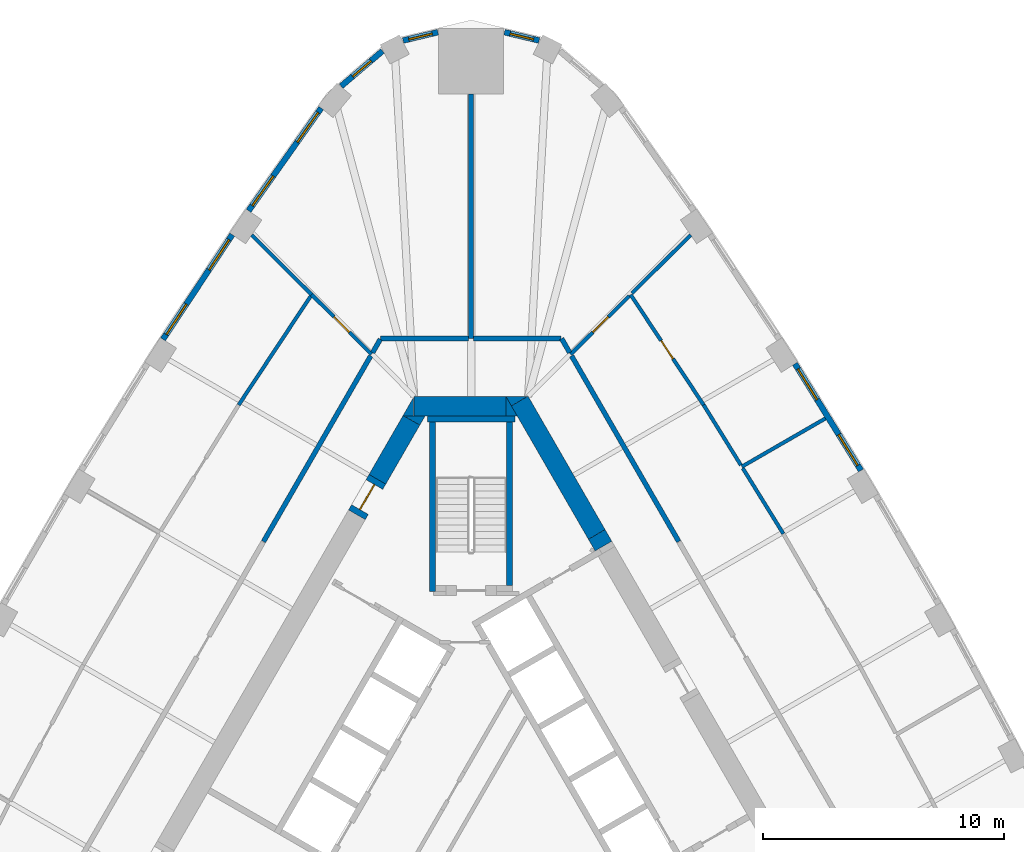
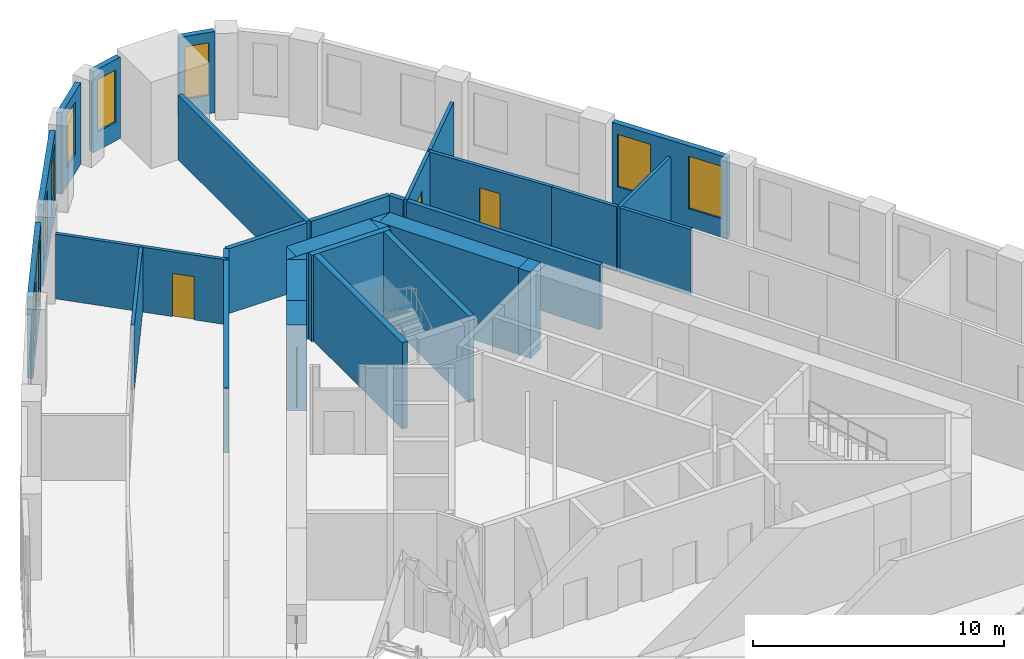
# One storey, part 8 of 10: 34 walls, 9 windows, 4 doors, 13 openings.
"""IFC4 building model written with IfcOpenShell, lengths in metres."""

from ifc_helpers import new_model, si_unit, direction, frame, frame_2d, origin, place, context, subcontext, project, spatial, polyline, rectangle, outline, extrude, material, layer, layer_set, type_object, element, fill, save


model = new_model("IFC4")

# Units and contexts
model_context = context("Model", 3, precision=1e-05, world=origin(), true_north=direction((0.0, 1.0)))
body_context = subcontext(model_context, "Body", "Model", "MODEL_VIEW")
ifc_project = project(units=[si_unit("LENGTHUNIT", "METRE"), si_unit("AREAUNIT", "SQUARE_METRE"), si_unit("VOLUMEUNIT", "CUBIC_METRE"), si_unit("PLANEANGLEUNIT", "RADIAN"), si_unit("MASSUNIT", "GRAM", prefix="KILO")], contexts=[model_context])

# Site, building, storey
site_placement = place(None, origin())
site = spatial("IfcSite", under=ifc_project, at=site_placement, CompositionType="ELEMENT")
building_placement = place(site_placement, origin())
building = spatial("IfcBuilding", under=site, at=building_placement, Name="Mestral Congress Tower", CompositionType="ELEMENT")
storey_placement = place(building_placement, frame((0.0, 0.0, 141.60009765625)))
storey = spatial("IfcBuildingStorey", under=building, at=storey_placement, Name="L33", CompositionType="ELEMENT", Elevation=141.60009765625)

# Walls
ifc_material_1 = material(Name="Concrete C60/75", Category="concrete")
ifc_layer_1 = layer(ifc_material_1, 0.800048828125)
ifc_layer_set_1 = layer_set([ifc_layer_1], Name="Concrete C60/75")
wall_type_1 = type_object("IfcWallType", Name="Core wall RC 800", PredefinedType="SOLIDWALL", material=ifc_layer_set_1)
wall_1_placement = place(storey_placement, frame((5.488525390625, 10.593505859375, 0.0), z_axis=(0.0, 0.0, 1.0), x_axis=(-0.500000383388, 0.866025182435, 0.0)))
element("IfcWall", 1, at=wall_1_placement, inside=storey, type_object=wall_type_1, Name="L33 core wall", PredefinedType="SOLIDWALL", context=body_context, shape_type="SweptSolid", body=[
    extrude(rectangle(XDim=0.5576171875, YDim=0.800048828125, at=frame_2d((0.27880859375, 0.0))), origin(), (0.0, 0.0, 1.0), 4.199951171875),
])
wall_2_placement = place(storey_placement, frame((5.208984375, 11.078125, 0.0), z_axis=(0.0, 0.0, 1.0), x_axis=(-0.500035624827, 0.866004834804, 0.0)))
element("IfcWall", 2, at=wall_2_placement, inside=storey, type_object=wall_type_1, Name="L33 core wall", PredefinedType="SOLIDWALL", context=body_context, shape_type="SweptSolid", body=[
    extrude(rectangle(XDim=6.38818359375, YDim=0.800048828125, at=frame_2d((3.194091796875, 0.0))), origin(), (0.0, 0.0, 1.0), 4.199951171875),
])
placement = place(storey_placement, origin())
element("IfcWall", 3, at=placement, inside=storey, type_object=wall_type_1, Name="L33 core wall", PredefinedType="SOLIDWALL", context=body_context, shape_type="SweptSolid", body=[
    extrude(outline(polyline([(1.443359375, 16.800048828125), (2.33935546875, 16.800048828125), (1.667236328125, 16.412109375), (1.443359375, 16.800048828125)])), origin(), (0.0, 0.0, 1.0), 4.199951171875),
])
wall_4_placement = place(storey_placement, frame((-2.37890625, 16.39990234375, 0.0), z_axis=(0.0, 0.0, 1.0), x_axis=(1.0, 0.0, 0.0)))
element("IfcWall", 4, at=wall_4_placement, inside=storey, type_object=wall_type_1, Name="L33 core wall", PredefinedType="SOLIDWALL", context=body_context, shape_type="SweptSolid", body=[
    extrude(rectangle(XDim=3.82421875, YDim=0.800048828125, at=frame_2d((1.912109375, 0.0))), origin(), (0.0, 0.0, 1.0), 4.199951171875),
])
element("IfcWall", 5, at=placement, inside=storey, type_object=wall_type_1, Name="L33 core wall", PredefinedType="SOLIDWALL", context=body_context, shape_type="SweptSolid", body=[
    extrude(outline(polyline([(1.9052734375, 16.0), (1.447265625, 16.0), (1.447265625, 16.793212890625), (1.9052734375, 16.0)])), origin(), (0.0, 0.0, 1.0), 4.199951171875),
])
element("IfcWall", 6, at=placement, inside=storey, type_object=wall_type_1, Name="L33 core wall", PredefinedType="SOLIDWALL", context=body_context, shape_type="SweptSolid", body=[
    extrude(outline(polyline([(-2.8291015625, 16.0), (-2.381103515625, 16.77587890625), (-2.381103515625, 16.0), (-2.8291015625, 16.0)])), origin(), (0.0, 0.0, 1.0), 4.199951171875),
])
wall_7_placement = place(storey_placement, frame((-2.476806640625, 15.810302734375, 0.0), z_axis=(0.0, 0.0, 1.0), x_axis=(-0.499969377405, -0.866043083026, 0.0)))
element("IfcWall", 7, at=wall_7_placement, inside=storey, type_object=wall_type_1, Name="L33 core wall", PredefinedType="SOLIDWALL", context=body_context, shape_type="SweptSolid", body=[
    extrude(rectangle(XDim=2.824462890625, YDim=0.800048828125, at=frame_2d((1.412109375, 0.0))), origin(), (0.0, 0.0, 1.0), 4.199951171875),
])
element("IfcWall", 8, at=placement, inside=storey, type_object=wall_type_1, Name="L33 core wall", PredefinedType="SOLIDWALL", context=body_context, shape_type="SweptSolid", body=[
    extrude(outline(polyline([(-1.9052734375, 16.0), (-2.12939453125, 15.612060546875), (-2.80126953125, 16.0), (-1.9052734375, 16.0)])), origin(), (0.0, 0.0, 1.0), 4.199951171875),
])

# Wall, opening, door
wall_9_placement = place(storey_placement, frame((-4.739013671875, 11.89208984375, 0.0), z_axis=(0.0, 0.0, 1.0), x_axis=(0.500062241894, 0.865989465428, 0.0)))
wall_9 = element("IfcWall", 9, at=wall_9_placement, inside=storey, type_object=wall_type_1, Name="L33 door wall", PredefinedType="SOLIDWALL", context=body_context, shape_type="SweptSolid", body=[
    extrude(rectangle(XDim=1.699951171875, YDim=0.800048828125, at=frame_2d((0.85009765625, 0.0))), origin(), (0.0, 0.0, 1.0), 4.199951171875),
])
opening_1_placement = place(wall_9_placement, frame((0.25, 0.0, 0.0)))
opening_1 = element("IfcOpeningElement", 10, at=opening_1_placement, cuts=wall_9, Name="Opening XD2", PredefinedType="OPENING", context=body_context, shape_type="SweptSolid", body=[
    extrude(rectangle(XDim=1.199951171875, YDim=2.10009765625, at=frame_2d((0.60009765625, 1.050048828125))), frame((0.0, 0.409912109375, 0.0), z_axis=(0.0, -1.0, 0.0), x_axis=(1.0, 0.0, 0.0)), (0.0, 0.0, 1.0), 0.820068359375),
])
ifc_material_2 = material(Name="Fire-rated steel door set", Category="steel")
door_type_1 = type_object("IfcDoorType", Name="Core door XD 1200x2100", OperationType="SINGLE_SWING_LEFT", PredefinedType="DOOR", material=ifc_material_2)
door_1_placement = place(opening_1_placement, origin())
door_1 = element("IfcDoor", 11, at=door_1_placement, inside=storey, type_object=door_type_1, Name="Door XD2", OperationType="SINGLE_SWING_LEFT", OverallHeight=2.10009765625, OverallWidth=1.199951171875, PredefinedType="DOOR", context=body_context, shape_type="SweptSolid", body=[
    extrude(rectangle(XDim=1.199951171875, YDim=2.10009765625, at=frame_2d((0.60009765625, 1.050048828125))), frame((0.0, 0.02490234375, 0.0), z_axis=(0.0, -1.0, 0.0), x_axis=(1.0, 0.0, 0.0)), (0.0, 0.0, 1.0), 0.050048828125),
])
fill(opening_1, door_1)

# Wall, openings, windows
ifc_material_3 = material(Name="Precast concrete C40/50 with limestone facing", Category="masonry")
ifc_layer_2 = layer(ifc_material_3, 0.239990234375)
ifc_layer_set_2 = layer_set([ifc_layer_2], Name="Precast concrete C40/50 with limestone facing")
wall_type_2 = type_object("IfcWallType", Name="Facade stone wall 240", PredefinedType="SOLIDWALL", material=ifc_layer_set_2)
wall_10_placement = place(storey_placement, frame((16.170654296875, 13.731201171875, 0.0), z_axis=(0.0, 0.0, 1.0), x_axis=(-0.526197926587, 0.850362124072, 0.0)))
wall_10 = element("IfcWall", 12, at=wall_10_placement, inside=storey, type_object=wall_type_2, Name="Facade wall F1-04", PredefinedType="SOLIDWALL", context=body_context, shape_type="SweptSolid", body=[
    extrude(rectangle(XDim=5.203369140625, YDim=0.239990234375, at=frame_2d((2.6015625, 0.0))), origin(), (0.0, 0.0, 1.0), 3.949951171875),
])
opening_2_placement = place(wall_10_placement, frame((0.248291015625, 0.0, 0.89990234375)))
opening_2 = element("IfcOpeningElement", 13, at=opening_2_placement, cuts=wall_10, Name="Opening W4", PredefinedType="OPENING", context=body_context, shape_type="SweptSolid", body=[
    extrude(rectangle(XDim=1.5, YDim=2.550048828125, at=frame_2d((0.75, 1.27490234375))), frame((0.0, 0.1298828125, 0.0), z_axis=(0.0, -1.0, 0.0), x_axis=(1.0, 0.0, 0.0)), (0.0, 0.0, 1.0), 0.260009765625),
])
opening_3_placement = place(wall_10_placement, frame((3.455078125, 0.0, 0.89990234375)))
opening_3 = element("IfcOpeningElement", 14, at=opening_3_placement, cuts=wall_10, Name="Opening W4", PredefinedType="OPENING", context=body_context, shape_type="SweptSolid", body=[
    extrude(rectangle(XDim=1.5, YDim=2.550048828125, at=frame_2d((0.75, 1.27490234375))), frame((0.0, 0.1298828125, 0.0), z_axis=(0.0, -1.0, 0.0), x_axis=(1.0, 0.0, 0.0)), (0.0, 0.0, 1.0), 0.260009765625),
])
ifc_material_4 = material(Name="Clear low-emissivity double glazing", Category="glass")
window_type_1 = type_object("IfcWindowType", Name="Facade punched window 1500 x 2550 sill 900", PartitioningType="SINGLE_PANEL", PredefinedType="WINDOW", material=ifc_material_4)
window_1_placement = place(opening_2_placement, origin())
window_1 = element("IfcWindow", 15, at=window_1_placement, inside=storey, type_object=window_type_1, Name="Window F1-04a", OverallHeight=2.550048828125, OverallWidth=1.5, PartitioningType="SINGLE_PANEL", PredefinedType="WINDOW", context=body_context, shape_type="SweptSolid", body=[
    extrude(rectangle(XDim=1.5, YDim=2.550048828125, at=frame_2d((0.75, 1.27490234375))), frame((0.0, 0.0400390625, 0.0), z_axis=(0.0, -1.0, 0.0), x_axis=(1.0, 0.0, 0.0)), (0.0, 0.0, 1.0), 0.06005859375),
])
fill(opening_2, window_1)
window_2_placement = place(opening_3_placement, origin())
window_2 = element("IfcWindow", 16, at=window_2_placement, inside=storey, type_object=window_type_1, Name="Window F1-04b", OverallHeight=2.550048828125, OverallWidth=1.5, PartitioningType="SINGLE_PANEL", PredefinedType="WINDOW", context=body_context, shape_type="SweptSolid", body=[
    extrude(rectangle(XDim=1.5, YDim=2.550048828125, at=frame_2d((0.75, 1.27490234375))), frame((0.0, 0.0400390625, 0.0), z_axis=(0.0, -1.0, 0.0), x_axis=(1.0, 0.0, 0.0)), (0.0, 0.0, 1.0), 0.06005859375),
])
fill(opening_3, window_2)

# Wall, opening, window
wall_11_placement = place(storey_placement, frame((2.821044921875, 31.56640625, 0.0), z_axis=(0.0, 0.0, 1.0), x_axis=(-0.972479955788, 0.232986556673, 0.0)))
wall_11 = element("IfcWall", 17, at=wall_11_placement, inside=storey, type_object=wall_type_2, Name="Facade wall K1-1", PredefinedType="SOLIDWALL", context=body_context, shape_type="SweptSolid", body=[
    extrude(rectangle(XDim=1.481689453125, YDim=0.239990234375, at=frame_2d((0.74072265625, 0.0))), origin(), (0.0, 0.0, 1.0), 3.949951171875),
])
opening_4_placement = place(wall_11_placement, frame((0.24072265625, 0.0, 0.89990234375)))
opening_4 = element("IfcOpeningElement", 18, at=opening_4_placement, cuts=wall_11, Name="Opening W5", PredefinedType="OPENING", context=body_context, shape_type="SweptSolid", body=[
    extrude(rectangle(XDim=1.0, YDim=2.550048828125, at=frame_2d((0.5, 1.27490234375))), frame((0.0, 0.1298828125, 0.0), z_axis=(0.0, -1.0, 0.0), x_axis=(1.0, 0.0, 0.0)), (0.0, 0.0, 1.0), 0.260009765625),
])
window_type_2 = type_object("IfcWindowType", Name="Facade punched window 1000 x 2550 sill 900", PartitioningType="SINGLE_PANEL", PredefinedType="WINDOW", material=ifc_material_4)
window_3_placement = place(opening_4_placement, origin())
window_3 = element("IfcWindow", 19, at=window_3_placement, inside=storey, type_object=window_type_2, Name="Window K1-1", OverallHeight=2.550048828125, OverallWidth=1.0, PartitioningType="SINGLE_PANEL", PredefinedType="WINDOW", context=body_context, shape_type="SweptSolid", body=[
    extrude(rectangle(XDim=1.0, YDim=2.550048828125, at=frame_2d((0.5, 1.27490234375))), frame((0.0, 0.0400390625, 0.0), z_axis=(0.0, -1.0, 0.0), x_axis=(1.0, 0.0, 0.0)), (0.0, 0.0, 1.0), 0.06005859375),
])
fill(opening_4, window_3)

wall_12_placement = place(storey_placement, frame((-1.380126953125, 31.91162109375, 0.0), z_axis=(0.0, 0.0, 1.0), x_axis=(-0.972479955788, -0.232986556673, 0.0)))
wall_12 = element("IfcWall", 20, at=wall_12_placement, inside=storey, type_object=wall_type_2, Name="Facade wall K1-2", PredefinedType="SOLIDWALL", context=body_context, shape_type="SweptSolid", body=[
    extrude(rectangle(XDim=1.481689453125, YDim=0.239990234375, at=frame_2d((0.74072265625, 0.0))), origin(), (0.0, 0.0, 1.0), 3.949951171875),
])
opening_5_placement = place(wall_12_placement, frame((0.24072265625, 0.0, 0.89990234375)))
opening_5 = element("IfcOpeningElement", 21, at=opening_5_placement, cuts=wall_12, Name="Opening W5", PredefinedType="OPENING", context=body_context, shape_type="SweptSolid", body=[
    extrude(rectangle(XDim=1.0, YDim=2.550048828125, at=frame_2d((0.5, 1.27490234375))), frame((0.0, 0.1298828125, 0.0), z_axis=(0.0, -1.0, 0.0), x_axis=(1.0, 0.0, 0.0)), (0.0, 0.0, 1.0), 0.260009765625),
])
window_4_placement = place(opening_5_placement, origin())
window_4 = element("IfcWindow", 22, at=window_4_placement, inside=storey, type_object=window_type_2, Name="Window K1-2", OverallHeight=2.550048828125, OverallWidth=1.0, PartitioningType="SINGLE_PANEL", PredefinedType="WINDOW", context=body_context, shape_type="SweptSolid", body=[
    extrude(rectangle(XDim=1.0, YDim=2.550048828125, at=frame_2d((0.5, 1.27490234375))), frame((0.0, 0.0400390625, 0.0), z_axis=(0.0, -1.0, 0.0), x_axis=(1.0, 0.0, 0.0)), (0.0, 0.0, 1.0), 0.06005859375),
])
fill(opening_5, window_4)

wall_13_placement = place(storey_placement, frame((-3.67822265625, 31.130859375, 0.0), z_axis=(0.0, 0.0, 1.0), x_axis=(-0.761419744247, -0.648259186645, 0.0)))
wall_13 = element("IfcWall", 23, at=wall_13_placement, inside=storey, type_object=wall_type_2, Name="Facade wall K1-3", PredefinedType="SOLIDWALL", context=body_context, shape_type="SweptSolid", body=[
    extrude(rectangle(XDim=2.250244140625, YDim=0.239990234375, at=frame_2d((1.125, 0.0))), origin(), (0.0, 0.0, 1.0), 3.949951171875),
])
opening_6_placement = place(wall_13_placement, frame((0.625244140625, 0.0, 0.89990234375)))
opening_6 = element("IfcOpeningElement", 24, at=opening_6_placement, cuts=wall_13, Name="Opening W5", PredefinedType="OPENING", context=body_context, shape_type="SweptSolid", body=[
    extrude(rectangle(XDim=1.0, YDim=2.550048828125, at=frame_2d((0.5, 1.27490234375))), frame((0.0, 0.1298828125, 0.0), z_axis=(0.0, -1.0, 0.0), x_axis=(1.0, 0.0, 0.0)), (0.0, 0.0, 1.0), 0.260009765625),
])
window_5_placement = place(opening_6_placement, origin())
window_5 = element("IfcWindow", 25, at=window_5_placement, inside=storey, type_object=window_type_2, Name="Window K1-3", OverallHeight=2.550048828125, OverallWidth=1.0, PartitioningType="SINGLE_PANEL", PredefinedType="WINDOW", context=body_context, shape_type="SweptSolid", body=[
    extrude(rectangle(XDim=1.0, YDim=2.550048828125, at=frame_2d((0.5, 1.27490234375))), frame((0.0, 0.0400390625, 0.0), z_axis=(0.0, -1.0, 0.0), x_axis=(1.0, 0.0, 0.0)), (0.0, 0.0, 1.0), 0.06005859375),
])
fill(opening_6, window_5)

# Wall, openings, windows
wall_14_placement = place(storey_placement, frame((-6.22265625, 28.76171875, 0.0), z_axis=(0.0, 0.0, 1.0), x_axis=(-0.577115207679, -0.816662743772, 0.0)))
wall_14 = element("IfcWall", 26, at=wall_14_placement, inside=storey, type_object=wall_type_2, Name="Facade wall F2-00", PredefinedType="SOLIDWALL", context=body_context, shape_type="SweptSolid", body=[
    extrude(rectangle(XDim=5.213134765625, YDim=0.239990234375, at=frame_2d((2.6064453125, 0.0))), origin(), (0.0, 0.0, 1.0), 3.949951171875),
])
opening_7_placement = place(wall_14_placement, frame((0.220703125, 0.0, 0.89990234375)))
opening_7 = element("IfcOpeningElement", 27, at=opening_7_placement, cuts=wall_14, Name="Opening W4", PredefinedType="OPENING", context=body_context, shape_type="SweptSolid", body=[
    extrude(rectangle(XDim=1.5, YDim=2.550048828125, at=frame_2d((0.75, 1.27490234375))), frame((0.0, 0.1298828125, 0.0), z_axis=(0.0, -1.0, 0.0), x_axis=(1.0, 0.0, 0.0)), (0.0, 0.0, 1.0), 0.260009765625),
])
opening_8_placement = place(wall_14_placement, frame((3.452392578125, 0.0, 0.89990234375)))
opening_8 = element("IfcOpeningElement", 28, at=opening_8_placement, cuts=wall_14, Name="Opening W4", PredefinedType="OPENING", context=body_context, shape_type="SweptSolid", body=[
    extrude(rectangle(XDim=1.5, YDim=2.550048828125, at=frame_2d((0.75, 1.27490234375))), frame((0.0, 0.1298828125, 0.0), z_axis=(0.0, -1.0, 0.0), x_axis=(1.0, 0.0, 0.0)), (0.0, 0.0, 1.0), 0.260009765625),
])
window_6_placement = place(opening_7_placement, origin())
window_6 = element("IfcWindow", 29, at=window_6_placement, inside=storey, type_object=window_type_1, Name="Window F2-00a", OverallHeight=2.550048828125, OverallWidth=1.5, PartitioningType="SINGLE_PANEL", PredefinedType="WINDOW", context=body_context, shape_type="SweptSolid", body=[
    extrude(rectangle(XDim=1.5, YDim=2.550048828125, at=frame_2d((0.75, 1.27490234375))), frame((0.0, 0.0400390625, 0.0), z_axis=(0.0, -1.0, 0.0), x_axis=(1.0, 0.0, 0.0)), (0.0, 0.0, 1.0), 0.06005859375),
])
fill(opening_7, window_6)
window_7_placement = place(opening_8_placement, origin())
window_7 = element("IfcWindow", 30, at=window_7_placement, inside=storey, type_object=window_type_1, Name="Window F2-00b", OverallHeight=2.550048828125, OverallWidth=1.5, PartitioningType="SINGLE_PANEL", PredefinedType="WINDOW", context=body_context, shape_type="SweptSolid", body=[
    extrude(rectangle(XDim=1.5, YDim=2.550048828125, at=frame_2d((0.75, 1.27490234375))), frame((0.0, 0.0400390625, 0.0), z_axis=(0.0, -1.0, 0.0), x_axis=(1.0, 0.0, 0.0)), (0.0, 0.0, 1.0), 0.06005859375),
])
fill(opening_8, window_7)

wall_15_placement = place(storey_placement, frame((-9.911376953125, 23.510009765625, 0.0), z_axis=(0.0, 0.0, 1.0), x_axis=(-0.551892811511, -0.833915058386, 0.0)))
wall_15 = element("IfcWall", 31, at=wall_15_placement, inside=storey, type_object=wall_type_2, Name="Facade wall F2-01", PredefinedType="SOLIDWALL", context=body_context, shape_type="SweptSolid", body=[
    extrude(rectangle(XDim=5.20361328125, YDim=0.239990234375, at=frame_2d((2.601806640625, 0.0))), origin(), (0.0, 0.0, 1.0), 3.949951171875),
])
opening_9_placement = place(wall_15_placement, frame((0.248291015625, 0.0, 0.89990234375)))
opening_9 = element("IfcOpeningElement", 32, at=opening_9_placement, cuts=wall_15, Name="Opening W4", PredefinedType="OPENING", context=body_context, shape_type="SweptSolid", body=[
    extrude(rectangle(XDim=1.5, YDim=2.550048828125, at=frame_2d((0.75, 1.27490234375))), frame((0.0, 0.1298828125, 0.0), z_axis=(0.0, -1.0, 0.0), x_axis=(1.0, 0.0, 0.0)), (0.0, 0.0, 1.0), 0.260009765625),
])
opening_10_placement = place(wall_15_placement, frame((3.455078125, 0.0, 0.89990234375)))
opening_10 = element("IfcOpeningElement", 33, at=opening_10_placement, cuts=wall_15, Name="Opening W4", PredefinedType="OPENING", context=body_context, shape_type="SweptSolid", body=[
    extrude(rectangle(XDim=1.5, YDim=2.550048828125, at=frame_2d((0.75, 1.27490234375))), frame((0.0, 0.1298828125, 0.0), z_axis=(0.0, -1.0, 0.0), x_axis=(1.0, 0.0, 0.0)), (0.0, 0.0, 1.0), 0.260009765625),
])
window_8_placement = place(opening_9_placement, origin())
window_8 = element("IfcWindow", 34, at=window_8_placement, inside=storey, type_object=window_type_1, Name="Window F2-01a", OverallHeight=2.550048828125, OverallWidth=1.5, PartitioningType="SINGLE_PANEL", PredefinedType="WINDOW", context=body_context, shape_type="SweptSolid", body=[
    extrude(rectangle(XDim=1.5, YDim=2.550048828125, at=frame_2d((0.75, 1.27490234375))), frame((0.0, 0.0400390625, 0.0), z_axis=(0.0, -1.0, 0.0), x_axis=(1.0, 0.0, 0.0)), (0.0, 0.0, 1.0), 0.06005859375),
])
fill(opening_9, window_8)
window_9_placement = place(opening_10_placement, origin())
window_9 = element("IfcWindow", 35, at=window_9_placement, inside=storey, type_object=window_type_1, Name="Window F2-01b", OverallHeight=2.550048828125, OverallWidth=1.5, PartitioningType="SINGLE_PANEL", PredefinedType="WINDOW", context=body_context, shape_type="SweptSolid", body=[
    extrude(rectangle(XDim=1.5, YDim=2.550048828125, at=frame_2d((0.75, 1.27490234375))), frame((0.0, 0.0400390625, 0.0), z_axis=(0.0, -1.0, 0.0), x_axis=(1.0, 0.0, 0.0)), (0.0, 0.0, 1.0), 0.06005859375),
])
fill(opening_10, window_9)

# Walls
ifc_material_5 = material(Name="Plasterboard partition on steel studs", Category="steel")
ifc_layer_3 = layer(ifc_material_5, 0.14990234375)
ifc_layer_set_3 = layer_set([ifc_layer_3], Name="Plasterboard partition on steel studs")
wall_type_3 = type_object("IfcWallType", Name="Office partition 150", PredefinedType="PARTITIONING", material=ifc_layer_set_3)
wall_16_placement = place(storey_placement, frame((11.229248046875, 13.88720703125, 0.0), z_axis=(0.0, 0.0, 1.0), x_axis=(0.866038271014, 0.499977712642, 0.0)))
element("IfcWall", 36, at=wall_16_placement, inside=storey, type_object=wall_type_3, Name="Partition", PredefinedType="PARTITIONING", context=body_context, shape_type="SweptSolid", body=[
    extrude(rectangle(XDim=4.001708984375, YDim=0.14990234375, at=frame_2d((2.0009765625, 0.0))), origin(), (0.0, 0.0, 1.0), 3.14990234375),
])
wall_17_placement = place(storey_placement, frame((12.951171875, 11.1044921875, 0.0), z_axis=(0.0, 0.0, 1.0), x_axis=(-0.526204763311, 0.850357893518, 0.0)))
element("IfcWall", 37, at=wall_17_placement, inside=storey, type_object=wall_type_3, Name="Partition", PredefinedType="PARTITIONING", context=body_context, shape_type="SweptSolid", body=[
    extrude(rectangle(XDim=3.197265625, YDim=0.14990234375, at=frame_2d((1.5986328125, 0.0))), origin(), (0.0, 0.0, 1.0), 3.14990234375),
])
wall_18_placement = place(storey_placement, frame((11.189697265625, 13.950927734375, 0.0), z_axis=(0.0, 0.0, 1.0), x_axis=(-0.526165616903, 0.850382116221, 0.0)))
element("IfcWall", 38, at=wall_18_placement, inside=storey, type_object=wall_type_3, Name="Partition", PredefinedType="PARTITIONING", context=body_context, shape_type="SweptSolid", body=[
    extrude(rectangle(XDim=2.935302734375, YDim=0.14990234375, at=frame_2d((1.4677734375, 0.0))), origin(), (0.0, 0.0, 1.0), 3.14990234375),
])

# Wall, opening, door
wall_19_placement = place(storey_placement, frame((6.6162109375, 21.023681640625, 0.0), z_axis=(0.0, 0.0, 1.0), x_axis=(0.551915124006, -0.833900291338, 0.0)))
wall_19 = element("IfcWall", 39, at=wall_19_placement, inside=storey, type_object=wall_type_3, Name="Partition", PredefinedType="PARTITIONING", context=body_context, shape_type="SweptSolid", body=[
    extrude(rectangle(XDim=5.48828125, YDim=0.14990234375, at=frame_2d((2.744140625, 0.0))), origin(), (0.0, 0.0, 1.0), 3.14990234375),
])
opening_11_placement = place(wall_19_placement, frame((2.288330078125, 0.0, 0.0)))
opening_11 = element("IfcOpeningElement", 40, at=opening_11_placement, cuts=wall_19, Name="Opening O01-010", PredefinedType="OPENING", context=body_context, shape_type="SweptSolid", body=[
    extrude(rectangle(XDim=0.89990234375, YDim=2.10009765625, at=frame_2d((0.449951171875, 1.050048828125))), frame((0.0, 0.0849609375, 0.0), z_axis=(0.0, -1.0, 0.0), x_axis=(1.0, 0.0, 0.0)), (0.0, 0.0, 1.0), 0.169921875),
])
ifc_material_6 = material(Name="Timber door set", Category="wood")
door_type_2 = type_object("IfcDoorType", Name="Office door 900x2100", OperationType="SINGLE_SWING_LEFT", PredefinedType="DOOR", material=ifc_material_6)
door_2_placement = place(opening_11_placement, origin())
door_2 = element("IfcDoor", 41, at=door_2_placement, inside=storey, type_object=door_type_2, Name="Door O01-010", OperationType="SINGLE_SWING_LEFT", OverallHeight=2.10009765625, OverallWidth=0.89990234375, PredefinedType="DOOR", context=body_context, shape_type="SweptSolid", body=[
    extrude(rectangle(XDim=0.89990234375, YDim=2.10009765625, at=frame_2d((0.449951171875, 1.050048828125))), frame((0.0, 0.02490234375, 0.0), z_axis=(0.0, -1.0, 0.0), x_axis=(1.0, 0.0, 0.0)), (0.0, 0.0, 1.0), 0.050048828125),
])
fill(opening_11, door_2)

# Wall
wall_20_placement = place(storey_placement, frame((6.67041015625, 21.07763671875, 0.0), z_axis=(0.0, 0.0, 1.0), x_axis=(0.709236178776, 0.704970951681, 0.0)))
element("IfcWall", 42, at=wall_20_placement, inside=storey, type_object=wall_type_3, Name="Partition", PredefinedType="PARTITIONING", context=body_context, shape_type="SweptSolid", body=[
    extrude(rectangle(XDim=3.434326171875, YDim=0.14990234375, at=frame_2d((1.71728515625, 0.0))), origin(), (0.0, 0.0, 1.0), 3.14990234375),
])

# Wall, opening, door
wall_21_placement = place(storey_placement, frame((4.1279296875, 18.55029296875, 0.0), z_axis=(0.0, 0.0, 1.0), x_axis=(0.709237676072, 0.704969445324, 0.0)))
wall_21 = element("IfcWall", 43, at=wall_21_placement, inside=storey, type_object=wall_type_3, Name="Partition", PredefinedType="PARTITIONING", context=body_context, shape_type="SweptSolid", body=[
    extrude(rectangle(XDim=3.431884765625, YDim=0.14990234375, at=frame_2d((1.7158203125, 0.0))), origin(), (0.0, 0.0, 1.0), 3.14990234375),
])
opening_12_placement = place(wall_21_placement, frame((1.300048828125, 0.0, 0.0)))
opening_12 = element("IfcOpeningElement", 44, at=opening_12_placement, cuts=wall_21, Name="Opening O01-012", PredefinedType="OPENING", context=body_context, shape_type="SweptSolid", body=[
    extrude(rectangle(XDim=0.89990234375, YDim=2.10009765625, at=frame_2d((0.449951171875, 1.050048828125))), frame((0.0, 0.0849609375, 0.0), z_axis=(0.0, -1.0, 0.0), x_axis=(1.0, 0.0, 0.0)), (0.0, 0.0, 1.0), 0.169921875),
])
door_3_placement = place(opening_12_placement, origin())
door_3 = element("IfcDoor", 45, at=door_3_placement, inside=storey, type_object=door_type_2, Name="Door O01-012", OperationType="SINGLE_SWING_RIGHT", OverallHeight=2.10009765625, OverallWidth=0.89990234375, PredefinedType="DOOR", context=body_context, shape_type="SweptSolid", body=[
    extrude(rectangle(XDim=0.89990234375, YDim=2.10009765625, at=frame_2d((0.449951171875, 1.050048828125))), frame((0.0, 0.02490234375, 0.0), z_axis=(0.0, -1.0, 0.0), x_axis=(1.0, 0.0, 0.0)), (0.0, 0.0, 1.0), 0.050048828125),
])
fill(opening_12, door_3)

# Wall
wall_22_placement = place(storey_placement, frame((-6.61328125, 21.020751953125, 0.0), z_axis=(0.0, 0.0, 1.0), x_axis=(-0.709222036241, 0.704985179497, 0.0)))
element("IfcWall", 46, at=wall_22_placement, inside=storey, type_object=wall_type_3, Name="Partition", PredefinedType="PARTITIONING", context=body_context, shape_type="SweptSolid", body=[
    extrude(rectangle(XDim=3.514892578125, YDim=0.14990234375, at=frame_2d((1.75732421875, 0.0))), origin(), (0.0, 0.0, 1.0), 3.14990234375),
])

# Wall, opening, door
wall_23_placement = place(storey_placement, frame((-6.618896484375, 21.026611328125, 0.0), z_axis=(0.0, 0.0, 1.0), x_axis=(0.709188943058, -0.705018470002, 0.0)))
wall_23 = element("IfcWall", 47, at=wall_23_placement, inside=storey, type_object=wall_type_3, Name="Partition", PredefinedType="PARTITIONING", context=body_context, shape_type="SweptSolid", body=[
    extrude(rectangle(XDim=3.512451171875, YDim=0.14990234375, at=frame_2d((1.75634765625, 0.0))), origin(), (0.0, 0.0, 1.0), 3.14990234375),
])
opening_13_placement = place(wall_23_placement, frame((1.3125, 0.0, 0.0)))
opening_13 = element("IfcOpeningElement", 48, at=opening_13_placement, cuts=wall_23, Name="Opening O01-013", PredefinedType="OPENING", context=body_context, shape_type="SweptSolid", body=[
    extrude(rectangle(XDim=0.89990234375, YDim=2.10009765625, at=frame_2d((0.449951171875, 1.050048828125))), frame((0.0, 0.0849609375, 0.0), z_axis=(0.0, -1.0, 0.0), x_axis=(1.0, 0.0, 0.0)), (0.0, 0.0, 1.0), 0.169921875),
])
door_4_placement = place(opening_13_placement, origin())
door_4 = element("IfcDoor", 49, at=door_4_placement, inside=storey, type_object=door_type_2, Name="Door O01-013", OperationType="SINGLE_SWING_RIGHT", OverallHeight=2.10009765625, OverallWidth=0.89990234375, PredefinedType="DOOR", context=body_context, shape_type="SweptSolid", body=[
    extrude(rectangle(XDim=0.89990234375, YDim=2.10009765625, at=frame_2d((0.449951171875, 1.050048828125))), frame((0.0, 0.02490234375, 0.0), z_axis=(0.0, -1.0, 0.0), x_axis=(1.0, 0.0, 0.0)), (0.0, 0.0, 1.0), 0.050048828125),
])
fill(opening_13, door_4)

# Walls
wall_24_placement = place(storey_placement, frame((-6.658447265625, 20.9599609375, 0.0), z_axis=(0.0, 0.0, 1.0), x_axis=(-0.551907039463, -0.833905642019, 0.0)))
element("IfcWall", 50, at=wall_24_placement, inside=storey, type_object=wall_type_3, Name="Partition", PredefinedType="PARTITIONING", context=body_context, shape_type="SweptSolid", body=[
    extrude(rectangle(XDim=5.411865234375, YDim=0.14990234375, at=frame_2d((2.7060546875, 0.0))), origin(), (0.0, 0.0, 1.0), 3.14990234375),
])
ifc_material_7 = material(Name="Dense masonry wall, plastered", Category="masonry")
ifc_layer_4 = layer(ifc_material_7, 0.199951171875)
ifc_layer_set_4 = layer_set([ifc_layer_4], Name="Dense masonry wall, plastered")
wall_type_4 = type_object("IfcWallType", Name="Office tenancy wall 200", PredefinedType="PARTITIONING", material=ifc_layer_set_4)
wall_25_placement = place(storey_placement, frame((8.611328125, 10.78466796875, 0.0), z_axis=(0.0, 0.0, 1.0), x_axis=(-0.499987928593, 0.866032373102, 0.0)))
element("IfcWall", 51, at=wall_25_placement, inside=storey, type_object=wall_type_4, Name="Tenancy wall", PredefinedType="PARTITIONING", context=body_context, shape_type="SweptSolid", body=[
    extrude(rectangle(XDim=8.889404296875, YDim=0.199951171875, at=frame_2d((4.44482421875, 0.0))), origin(), (0.0, 0.0, 1.0), 3.14990234375),
])
wall_26_placement = place(storey_placement, frame((0.0, 19.199951171875, 0.0), z_axis=(0.0, 0.0, 1.0), x_axis=(0.0, 1.0, 0.0)))
element("IfcWall", 52, at=wall_26_placement, inside=storey, type_object=wall_type_4, Name="Tenancy wall", PredefinedType="PARTITIONING", context=body_context, shape_type="SweptSolid", body=[
    extrude(rectangle(XDim=10.154296875, YDim=0.199951171875, at=frame_2d((5.0771484375, 0.0))), origin(), (0.0, 0.0, 1.0), 3.14990234375),
])
wall_27_placement = place(storey_placement, frame((4.089111328125, 18.617431640625, 0.0), z_axis=(0.0, 0.0, 1.0), x_axis=(-0.500120377296, 0.865955892764, 0.0)))
element("IfcWall", 53, at=wall_27_placement, inside=storey, type_object=wall_type_4, Name="Tenancy wall", PredefinedType="PARTITIONING", context=body_context, shape_type="SweptSolid", body=[
    extrude(rectangle(XDim=0.672607421875, YDim=0.199951171875, at=frame_2d((0.33642578125, 0.0))), origin(), (0.0, 0.0, 1.0), 3.14990234375),
])
wall_28_placement = place(storey_placement, frame((3.722900390625, 19.199951171875, 0.0), z_axis=(0.0, 0.0, 1.0), x_axis=(-1.0, 0.0, 0.0)))
element("IfcWall", 54, at=wall_28_placement, inside=storey, type_object=wall_type_4, Name="Tenancy wall", PredefinedType="PARTITIONING", context=body_context, shape_type="SweptSolid", body=[
    extrude(rectangle(XDim=3.622802734375, YDim=0.199951171875, at=frame_2d((1.8115234375, 0.0))), origin(), (0.0, 0.0, 1.0), 3.14990234375),
])
wall_29_placement = place(storey_placement, frame((-0.10009765625, 19.199951171875, 0.0), z_axis=(0.0, 0.0, 1.0), x_axis=(-1.0, 0.0, 0.0)))
element("IfcWall", 55, at=wall_29_placement, inside=storey, type_object=wall_type_4, Name="Tenancy wall", PredefinedType="PARTITIONING", context=body_context, shape_type="SweptSolid", body=[
    extrude(rectangle(XDim=3.652587890625, YDim=0.199951171875, at=frame_2d((1.826171875, 0.0))), origin(), (0.0, 0.0, 1.0), 3.14990234375),
])
wall_30_placement = place(storey_placement, frame((-3.767822265625, 19.174072265625, 0.0), z_axis=(0.0, 0.0, 1.0), x_axis=(-0.499897828833, -0.8660843843, 0.0)))
element("IfcWall", 56, at=wall_30_placement, inside=storey, type_object=wall_type_4, Name="Tenancy wall", PredefinedType="PARTITIONING", context=body_context, shape_type="SweptSolid", body=[
    extrude(rectangle(XDim=0.642822265625, YDim=0.199951171875, at=frame_2d((0.3212890625, 0.0))), origin(), (0.0, 0.0, 1.0), 3.14990234375),
])
wall_31_placement = place(storey_placement, frame((-4.166748046875, 18.483154296875, 0.0), z_axis=(0.0, 0.0, 1.0), x_axis=(-0.499974340325, -0.866040217898, 0.0)))
element("IfcWall", 57, at=wall_31_placement, inside=storey, type_object=wall_type_4, Name="Tenancy wall", PredefinedType="PARTITIONING", context=body_context, shape_type="SweptSolid", body=[
    extrude(rectangle(XDim=8.8935546875, YDim=0.199951171875, at=frame_2d((4.44677734375, 0.0))), origin(), (0.0, 0.0, 1.0), 3.14990234375),
])
ifc_layer_5 = layer(ifc_material_1, 0.25)
ifc_layer_set_5 = layer_set([ifc_layer_5], Name="Concrete C60/75")
wall_type_5 = type_object("IfcWallType", Name="Stair wall RC 250", PredefinedType="SOLIDWALL", material=ifc_layer_set_5)
wall_32_placement = place(storey_placement, frame((-1.81689453125, 15.875, 0.0), z_axis=(0.0, 0.0, 1.0), x_axis=(1.0, 0.0, 0.0)))
element("IfcWall", 58, at=wall_32_placement, inside=storey, type_object=wall_type_5, Name="L33 core wall", PredefinedType="SOLIDWALL", context=body_context, shape_type="SweptSolid", body=[
    extrude(rectangle(XDim=3.6337890625, YDim=0.25, at=frame_2d((1.81689453125, 0.0))), origin(), (0.0, 0.0, 1.0), 4.199951171875),
])
wall_33_placement = place(storey_placement, frame((1.60009765625, 8.949951171875, 0.0), z_axis=(0.0, 0.0, 1.0), x_axis=(0.0, 1.0, 0.0)))
element("IfcWall", 59, at=wall_33_placement, inside=storey, type_object=wall_type_5, Name="L33 core wall", PredefinedType="SOLIDWALL", context=body_context, shape_type="SweptSolid", body=[
    extrude(rectangle(XDim=6.800048828125, YDim=0.25, at=frame_2d((3.39990234375, 0.0))), origin(), (0.0, 0.0, 1.0), 4.199951171875),
])
wall_34_placement = place(storey_placement, frame((-1.60009765625, 8.699951171875, 0.0), z_axis=(0.0, 0.0, 1.0), x_axis=(0.0, 1.0, 0.0)))
element("IfcWall", 60, at=wall_34_placement, inside=storey, type_object=wall_type_5, Name="L33 core wall", PredefinedType="SOLIDWALL", context=body_context, shape_type="SweptSolid", body=[
    extrude(rectangle(XDim=7.050048828125, YDim=0.25, at=frame_2d((3.52490234375, 0.0))), origin(), (0.0, 0.0, 1.0), 4.199951171875),
])

save(model, "model.ifc")
